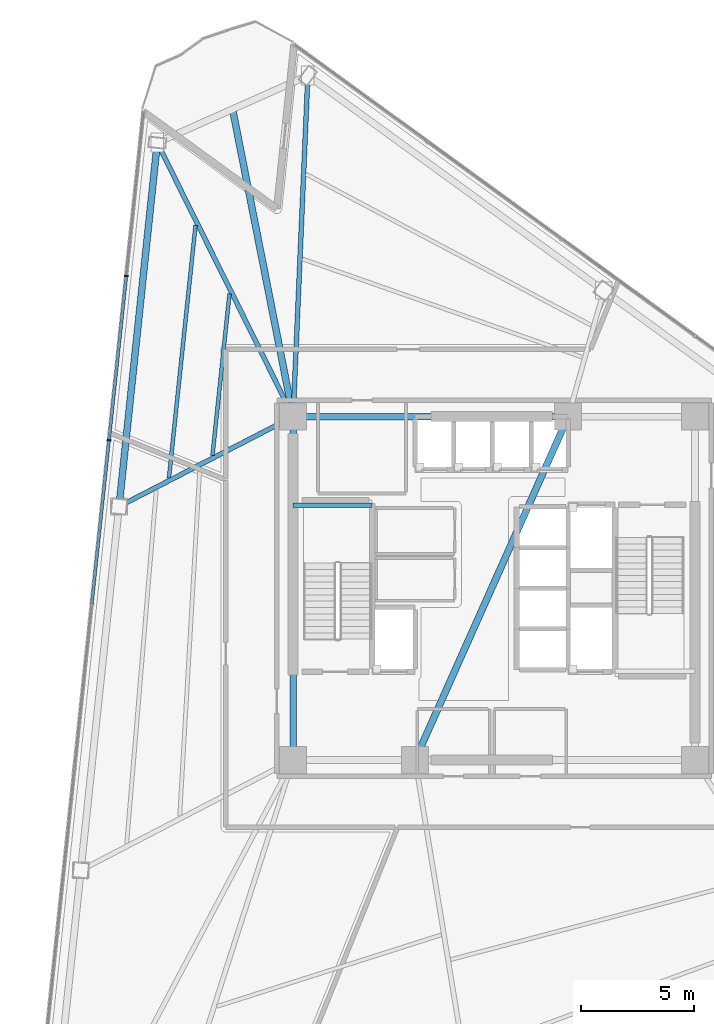
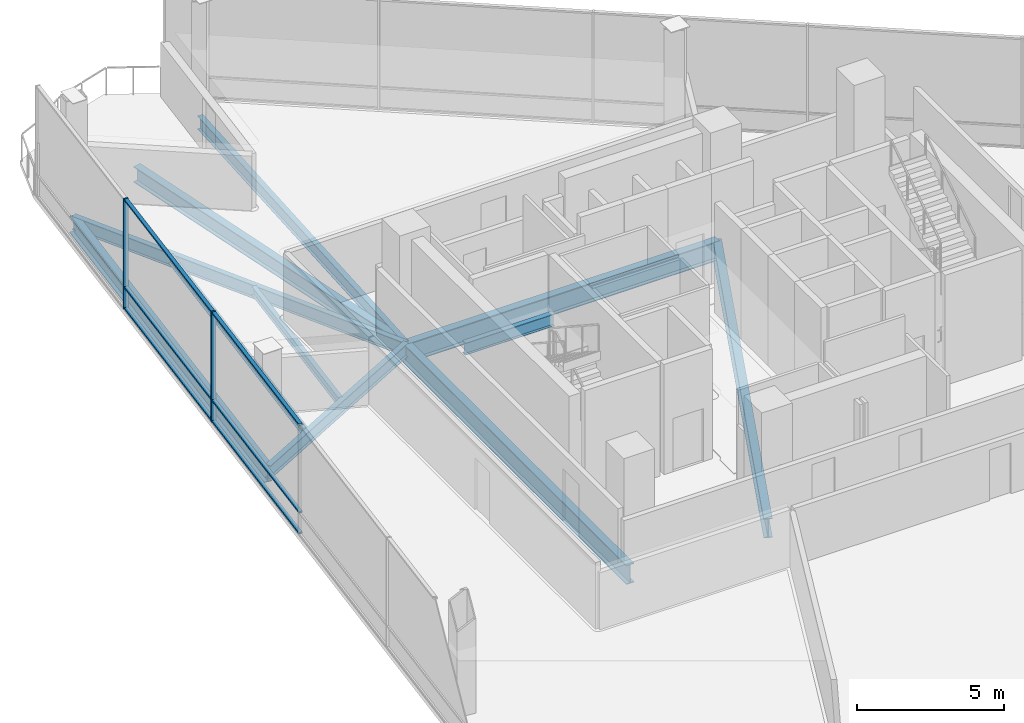
# One storey, part 7 of 18: 11 beams, 8 members, 1 element without a shape of its own.
"""IFC4 building model written with IfcOpenShell, lengths in metres."""

import ifcopenshell
import ifcopenshell.guid

model = None  # the IFC model being written
_history = None  # IfcOwnerHistory: only IFC2X3 demands one
_inside = {}  # id of a spatial element -> (the spatial element, [elements in it])
_under = {}  # id of a project, library or spatial element -> (it, [spatial elements below it])
_declared = {}  # id of a project -> (the project, [libraries it declares])
_typed = {}  # id of a type object -> (the type object, [elements of that type])
_made_of = {}  # id of a material, layer set ... -> (it, [elements and type objects made of it])


def new_model(schema):
    """Start an empty IFC model of exactly this schema.

    Asked for "IFC4X3", IfcOpenShell would pick the latest addendum, in which some entities
    have other attributes; the version numbers below select the first issue.
    IFC2X3 requires an IfcOwnerHistory on every rooted entity: one is made here for all.
    """
    global model, _history
    if schema == "IFC4X3":
        model = ifcopenshell.file(schema_version=(4, 3, 0, 0))
    else:
        model = ifcopenshell.file(schema=schema)
    _inside.clear()
    _under.clear()
    _declared.clear()
    _typed.clear()
    _made_of.clear()
    _history = None
    if model.schema == "IFC2X3":
        org = make("IfcOrganization", Name="unknown")
        user = make(
            "IfcPersonAndOrganization",
            ThePerson=make("IfcPerson", FamilyName="unknown"),
            TheOrganization=org,
        )
        app = make(
            "IfcApplication",
            ApplicationDeveloper=org,
            Version="unknown",
            ApplicationFullName="unknown",
            ApplicationIdentifier="unknown",
        )
        _history = make(
            "IfcOwnerHistory",
            OwningUser=user,
            OwningApplication=app,
            ChangeAction="ADDED",
            CreationDate=0,
        )
    return model


def make(cls, **values):
    """One entity of the class cls with the attributes given. An attribute that is None is left unset."""
    return model.create_entity(
        cls, **{name: value for name, value in values.items() if value is not None}
    )


def rooted(cls, **values):
    """An entity with a GlobalId (a new one), such as an element, a storey or a relation."""
    return make(cls, GlobalId=ifcopenshell.guid.new(), OwnerHistory=_history, **values)


def si_unit(unit_type, name, prefix=None):
    """IfcSIUnit, for example si_unit("LENGTHUNIT", "METRE", prefix="MILLI")."""
    return make("IfcSIUnit", UnitType=unit_type, Prefix=prefix, Name=name)


def assignment(units):
    """IfcUnitAssignment: the units of a project."""
    return None if units is None else make("IfcUnitAssignment", Units=units)


def point(xyz):
    """IfcCartesianPoint."""
    return None if xyz is None else make("IfcCartesianPoint", Coordinates=xyz)


def direction(xyz):
    """IfcDirection."""
    return None if xyz is None else make("IfcDirection", DirectionRatios=xyz)


def frame(location, z_axis=None, x_axis=None):
    """IfcAxis2Placement3D, a coordinate frame: its origin and axes. An axis left out is left unset."""
    return make(
        "IfcAxis2Placement3D",
        Location=point(location),
        Axis=direction(z_axis),
        RefDirection=direction(x_axis),
    )


def frame_2d(location, x_axis=None):
    """IfcAxis2Placement2D, a coordinate frame in the plane: its origin and x axis."""
    return make(
        "IfcAxis2Placement2D", Location=point(location), RefDirection=direction(x_axis)
    )


def origin():
    """The frame at (0, 0, 0) with its axes left unset."""
    return frame((0.0, 0.0, 0.0))


def origin_2d():
    """The frame at (0, 0) in the plane with its x axis left unset."""
    return frame_2d((0.0, 0.0))


def place(relative_to, where):
    """IfcLocalPlacement: puts the frame where relative to a parent placement (None: the world)."""
    return make(
        "IfcLocalPlacement", PlacementRelTo=relative_to, RelativePlacement=where
    )


def context(
    kind, dimensions, precision=None, world=None, true_north=None, identifier=None
):
    """IfcGeometricRepresentationContext, for example the 3D "Model" context."""
    return make(
        "IfcGeometricRepresentationContext",
        ContextIdentifier=identifier,
        ContextType=kind,
        CoordinateSpaceDimension=dimensions,
        Precision=precision,
        WorldCoordinateSystem=world,
        TrueNorth=true_north,
    )


def subcontext(parent, identifier, kind, view, scale=None):
    """IfcGeometricRepresentationSubContext, for example "Body" below "Model"."""
    return make(
        "IfcGeometricRepresentationSubContext",
        ContextIdentifier=identifier,
        ContextType=kind,
        ParentContext=parent,
        TargetScale=scale,
        TargetView=view,
    )


def project(units=None, contexts=None):
    """IfcProject with its units and contexts."""
    return rooted(
        "IfcProject",
        Name="project",
        RepresentationContexts=contexts,
        UnitsInContext=assignment(units),
    )


def spatial(cls, under=None, at=None, **own):
    """A site, building, storey or space (cls), placed at a placement, below another one or the project."""
    s = rooted(cls, ObjectPlacement=at, **own)
    if under is not None:
        _under.setdefault(under.id(), (under, []))[1].append(s)
    return s


def profile(cls, at=None, kind="AREA", **sizes):
    """A parametric profile (cls). Its sizes go by their IFC names, for example OverallWidth=200.0."""
    return make(cls, ProfileType=kind, Position=at, **sizes)


def rectangle(**sizes):
    """IfcRectangleProfileDef."""
    return profile("IfcRectangleProfileDef", **sizes)


def i_section(**sizes):
    """IfcIShapeProfileDef."""
    return profile("IfcIShapeProfileDef", **sizes)


def extrude(swept, where, along, depth):
    """IfcExtrudedAreaSolid: the profile swept, set in the frame where, extruded along a direction by depth."""
    return make(
        "IfcExtrudedAreaSolid",
        SweptArea=swept,
        Position=where,
        ExtrudedDirection=direction(along),
        Depth=depth,
    )


def shape(context_of_items, identifier, shape_type, items):
    """IfcShapeRepresentation: the items that make up one representation, for example the "Body"."""
    return make(
        "IfcShapeRepresentation",
        ContextOfItems=context_of_items,
        RepresentationIdentifier=identifier,
        RepresentationType=shape_type,
        Items=items,
    )


def material(Name=None, Category=None):
    """IfcMaterial."""
    return make("IfcMaterial", Name=Name, Category=Category)


def layer(
    of_material, thickness, ventilated=None, Name=None, Category=None, Priority=None
):
    """IfcMaterialLayer: one layer of a wall or slab, of a material (None: an air gap)."""
    return make(
        "IfcMaterialLayer",
        Material=of_material,
        LayerThickness=thickness,
        IsVentilated=ventilated,
        Name=Name,
        Category=Category,
        Priority=Priority,
    )


def layer_set(layers, Name=None):
    """IfcMaterialLayerSet."""
    return make("IfcMaterialLayerSet", MaterialLayers=layers, LayerSetName=Name)


def material_profile(
    of_material, cross_section, Name=None, Category=None, Priority=None
):
    """IfcMaterialProfile: a cross section and its material."""
    return make(
        "IfcMaterialProfile",
        Name=Name,
        Material=of_material,
        Profile=cross_section,
        Priority=Priority,
        Category=Category,
    )


def profile_set(profiles, Name=None, composite=None):
    """IfcMaterialProfileSet."""
    return make(
        "IfcMaterialProfileSet",
        Name=Name,
        MaterialProfiles=profiles,
        CompositeProfile=composite,
    )


def made_of(thing, what):
    """Note that an element or type object is made of a material, layer set ...; save() writes the relation."""
    if what is not None:
        _made_of.setdefault(what.id(), (what, []))[1].append(thing)
    return thing


def type_object(cls, material=None, **own):
    """A type object (cls), such as IfcWallType, which elements share."""
    return made_of(rooted(cls, **own), material)


def element(
    cls,
    number,
    at=None,
    inside=None,
    cuts=None,
    type_object=None,
    material=None,
    context=None,
    identifier="Body",
    shape_type=None,
    held_by="IfcProductDefinitionShape",
    body=None,
    shapes=None,
    **own,
):
    """One element of the class cls, such as IfcWall. Its Tag is "e" and its number.

    at: its placement. inside: the storey or other place that contains it. cuts: it is an
    opening in that element (IfcRelVoidsElement). A single representation is given by context,
    identifier, shape_type and body (its items); several are given by shapes. held_by: the class
    of the entity that holds the representations. save() writes the other relations.
    """
    e = rooted(cls, Tag="e%d" % number, ObjectPlacement=at, **own)
    if body is not None:
        shapes = [shape(context, identifier, shape_type, body)]
    if shapes is not None:
        e.Representation = make(held_by, Representations=shapes)
    if inside is not None:
        _inside.setdefault(inside.id(), (inside, []))[1].append(e)
    if cuts is not None:
        rooted(
            "IfcRelVoidsElement", RelatingBuildingElement=cuts, RelatedOpeningElement=e
        )
    if type_object is not None:
        _typed.setdefault(type_object.id(), (type_object, []))[1].append(e)
    return made_of(e, material)


def aggregate(whole, parts):
    """IfcRelAggregates: a whole, such as a stair, and the parts it consists of."""
    return rooted("IfcRelAggregates", RelatingObject=whole, RelatedObjects=parts)


def save(model, path):
    """Write the relations noted so far, then the file.

    IfcRelAggregates (storeys below a building ...), IfcRelContainedInSpatialStructure (elements
    in a storey), IfcRelDefinesByType, IfcRelAssociatesMaterial and IfcRelDeclares: one each for
    every whole, place, type object, material and project.
    """
    for whole, parts in _under.values():
        aggregate(whole, parts)
    for where, things in _inside.values():
        rooted(
            "IfcRelContainedInSpatialStructure",
            RelatedElements=things,
            RelatingStructure=where,
        )
    for kind, things in _typed.values():
        rooted("IfcRelDefinesByType", RelatedObjects=things, RelatingType=kind)
    for what, things in _made_of.values():
        rooted("IfcRelAssociatesMaterial", RelatedObjects=things, RelatingMaterial=what)
    for by, libraries in _declared.values():
        rooted("IfcRelDeclares", RelatingContext=by, RelatedDefinitions=libraries)
    model.write(path)


model = new_model("IFC4")

# Units and contexts
model_context = context("Model", 3, precision=1e-05, world=origin(), true_north=direction((0.0, 1.0)))
body_context = subcontext(model_context, "Body", "Model", "MODEL_VIEW")
ifc_project = project(units=[si_unit("LENGTHUNIT", "METRE"), si_unit("AREAUNIT", "SQUARE_METRE"), si_unit("VOLUMEUNIT", "CUBIC_METRE"), si_unit("PLANEANGLEUNIT", "RADIAN"), si_unit("MASSUNIT", "GRAM", prefix="KILO")], contexts=[model_context])

# Site, building, storey
site_placement = place(None, origin())
site = spatial("IfcSite", under=ifc_project, at=site_placement, CompositionType="ELEMENT")
building_placement = place(site_placement, origin())
building = spatial("IfcBuilding", under=site, at=building_placement, Name="Tharavind Bronze Gate", CompositionType="ELEMENT")
storey_placement = place(building_placement, frame((0.0, 0.0, 134.050048828125)))
storey = spatial("IfcBuildingStorey", under=building, at=storey_placement, Name="L34", CompositionType="ELEMENT", Elevation=134.050048828125)

# Curtain wall, members
ifc_material_1 = material(Name="Anodised Bronze Aluminium", Category="aluminium")
ifc_layer = layer(ifc_material_1, 0.219970703125)
ifc_layer_set = layer_set([ifc_layer], Name="Anodised Bronze Aluminium")
curtain_wall_type = type_object("IfcCurtainWallType", Name="UNITISED CURTAIN WALL LOWER OFFICE", PredefinedType="USERDEFINED", material=ifc_layer_set)
curtain_wall_placement = place(storey_placement, origin())
curtain_wall = element("IfcCurtainWall", 1, at=curtain_wall_placement, inside=storey, type_object=curtain_wall_type, Name="L34 unitised curtain wall lower office CW-L34-S1", ObjectType="UNITISED CURTAIN WALL", PredefinedType="USERDEFINED")
member_type_1 = type_object("IfcMemberType", Name="CURTAIN WALL BRONZE MULLION 65X180", PredefinedType="MULLION", material=ifc_material_1)
member_1_placement = place(storey_placement, frame((-16.2919921875, 13.828369140625, 0.0), z_axis=(0.0, 0.0, 1.0), x_axis=(-0.104526727499, -0.994522077803, 0.0)))
member_1 = element("IfcMember", 2, at=member_1_placement, type_object=member_type_1, Name="CW-L34-S1 mullion 2", PredefinedType="MULLION", context=body_context, shape_type="SweptSolid", body=[
    extrude(rectangle(XDim=0.06494140625, YDim=0.179931640625, at=origin_2d()), origin(), (0.0, 0.0, 1.0), 4.56005859375),
])
member_2_placement = place(storey_placement, frame((-17.056396484375, 6.55517578125, 0.0), z_axis=(0.0, 0.0, 1.0), x_axis=(-0.104526727499, -0.994522077803, 0.0)))
member_2 = element("IfcMember", 3, at=member_2_placement, type_object=member_type_1, Name="CW-L34-S1 mullion 3", PredefinedType="MULLION", context=body_context, shape_type="SweptSolid", body=[
    extrude(rectangle(XDim=0.06494140625, YDim=0.179931640625, at=origin_2d()), origin(), (0.0, 0.0, 1.0), 4.56005859375),
])
member_type_2 = type_object("IfcMemberType", Name="CURTAIN WALL BRONZE TRANSOM 65X140", PredefinedType="USERDEFINED", material=ifc_material_1)
member_3_placement = place(storey_placement, frame((-16.67431640625, 10.19189453125, 0.0), z_axis=(0.0, 0.0, 1.0), x_axis=(-0.104526727499, -0.994522077803, 0.0)))
member_3 = element("IfcMember", 4, at=member_3_placement, type_object=member_type_2, Name="CW-L34-S1 transom TB2", ObjectType="TRANSOM", PredefinedType="USERDEFINED", context=body_context, shape_type="SweptSolid", body=[
    extrude(rectangle(XDim=7.26025390625, YDim=0.139892578125, at=origin_2d()), origin(), (0.0, 0.0, 1.0), 0.06494140625),
])
member_4_placement = place(storey_placement, frame((-16.67431640625, 10.19189453125, 0.867431640625), z_axis=(0.0, 0.0, 1.0), x_axis=(-0.104526727499, -0.994522077803, 0.0)))
member_4 = element("IfcMember", 5, at=member_4_placement, type_object=member_type_2, Name="CW-L34-S1 transom TS2", ObjectType="TRANSOM", PredefinedType="USERDEFINED", context=body_context, shape_type="SweptSolid", body=[
    extrude(rectangle(XDim=7.26025390625, YDim=0.139892578125, at=origin_2d()), origin(), (0.0, 0.0, 1.0), 0.06494140625),
])
member_5_placement = place(storey_placement, frame((-16.67431640625, 10.19189453125, 4.494873046875), z_axis=(0.0, 0.0, 1.0), x_axis=(-0.104526727499, -0.994522077803, 0.0)))
member_5 = element("IfcMember", 6, at=member_5_placement, type_object=member_type_2, Name="CW-L34-S1 transom TT2", ObjectType="TRANSOM", PredefinedType="USERDEFINED", context=body_context, shape_type="SweptSolid", body=[
    extrude(rectangle(XDim=7.26025390625, YDim=0.139892578125, at=origin_2d()), origin(), (0.0, 0.0, 1.0), 0.06494140625),
])
member_6_placement = place(storey_placement, frame((-17.438720703125, 2.91845703125, 0.0), z_axis=(0.0, 0.0, 1.0), x_axis=(-0.104526727499, -0.994522077803, 0.0)))
member_6 = element("IfcMember", 7, at=member_6_placement, type_object=member_type_2, Name="CW-L34-S1 transom TB3", ObjectType="TRANSOM", PredefinedType="USERDEFINED", context=body_context, shape_type="SweptSolid", body=[
    extrude(rectangle(XDim=7.26025390625, YDim=0.139892578125, at=origin_2d()), origin(), (0.0, 0.0, 1.0), 0.06494140625),
])
member_7_placement = place(storey_placement, frame((-17.438720703125, 2.91845703125, 0.867431640625), z_axis=(0.0, 0.0, 1.0), x_axis=(-0.104526727499, -0.994522077803, 0.0)))
member_7 = element("IfcMember", 8, at=member_7_placement, type_object=member_type_2, Name="CW-L34-S1 transom TS3", ObjectType="TRANSOM", PredefinedType="USERDEFINED", context=body_context, shape_type="SweptSolid", body=[
    extrude(rectangle(XDim=7.26025390625, YDim=0.139892578125, at=origin_2d()), origin(), (0.0, 0.0, 1.0), 0.06494140625),
])
member_8_placement = place(storey_placement, frame((-17.438720703125, 2.91845703125, 4.494873046875), z_axis=(0.0, 0.0, 1.0), x_axis=(-0.104526727499, -0.994522077803, 0.0)))
member_8 = element("IfcMember", 9, at=member_8_placement, type_object=member_type_2, Name="CW-L34-S1 transom TT3", ObjectType="TRANSOM", PredefinedType="USERDEFINED", context=body_context, shape_type="SweptSolid", body=[
    extrude(rectangle(XDim=7.26025390625, YDim=0.139892578125, at=origin_2d()), origin(), (0.0, 0.0, 1.0), 0.06494140625),
])
aggregate(curtain_wall, [member_1, member_2, member_3, member_4, member_5, member_6, member_7, member_8])

# Beams
ifc_material_2 = material(Name="Steel S355", Category="steel")
ifc_material_profile_1 = material_profile(ifc_material_2, i_section(OverallWidth=0.300048828125, OverallDepth=0.64990234375, WebThickness=0.01611328125, FlangeThickness=0.031005859375, at=origin_2d()), Name="HE650B")
ifc_profile_set_1 = profile_set([ifc_material_profile_1], Name="Steel S355")
beam_type_1 = type_object("IfcBeamType", Name="PRIMARY GIRDER HE650B", PredefinedType="USERDEFINED", material=ifc_profile_set_1)
beam_1_placement = place(storey_placement, frame((-8.89990234375, 7.60009765625, -0.51513671875), z_axis=(-0.193337817279, 0.981132248176, 0.0), x_axis=(-0.981132248176, -0.193337817279, 0.0)))
element("IfcBeam", 10, at=beam_1_placement, inside=storey, type_object=beam_type_1, Name="L34 primary girder he650b BM-L34-BLCSB", ObjectType="GIRDER", PredefinedType="USERDEFINED", context=body_context, shape_type="SweptSolid", body=[
    extrude(i_section(OverallWidth=0.300048828125, OverallDepth=0.64990234375, WebThickness=0.01611328125, FlangeThickness=0.031005859375, at=origin_2d()), origin(), (0.0, 0.0, 1.0), 13.8779296875),
])
ifc_material_profile_2 = material_profile(ifc_material_2, i_section(OverallWidth=0.199951171875, OverallDepth=0.5, WebThickness=0.01025390625, FlangeThickness=0.01611328125, at=origin_2d()), Name="IPE500")
ifc_profile_set_2 = profile_set([ifc_material_profile_2], Name="Steel S355")
beam_type_2 = type_object("IfcBeamType", Name="PRIMARY GIRDER IPE500", PredefinedType="USERDEFINED", material=ifc_profile_set_2)
beam_2_placement = place(storey_placement, frame((-8.89990234375, 3.679931640625, 1.925048828125), z_axis=(1.0, 0.0, 0.0), x_axis=(0.0, 1.0, 0.0)))
element("IfcBeam", 11, at=beam_2_placement, inside=storey, type_object=beam_type_2, Name="L34 primary girder ipe500 BM-LD-ST1-L34-1", ObjectType="GIRDER", PredefinedType="USERDEFINED", context=body_context, shape_type="SweptSolid", body=[
    extrude(i_section(OverallWidth=0.199951171875, OverallDepth=0.5, WebThickness=0.01025390625, FlangeThickness=0.01611328125, at=origin_2d()), origin(), (0.0, 0.0, 1.0), 3.5),
])
ifc_material_profile_3 = material_profile(ifc_material_2, i_section(OverallWidth=0.2099609375, OverallDepth=0.550048828125, WebThickness=0.010986328125, FlangeThickness=0.01708984375, at=origin_2d()), Name="IPE550")
ifc_profile_set_3 = profile_set([ifc_material_profile_3], Name="Steel S355")
beam_type_3 = type_object("IfcBeamType", Name="PRIMARY GIRDER IPE550", PredefinedType="USERDEFINED", material=ifc_profile_set_3)
beam_3_placement = place(storey_placement, frame((-14.91748046875, 19.7314453125, -0.465087890625), z_axis=(0.444370024662, -0.895843335177, 0.0), x_axis=(0.895843335177, 0.444370024662, 0.0)))
element("IfcBeam", 12, at=beam_3_placement, inside=storey, type_object=beam_type_3, Name="L34 primary girder ipe550 BM-L34-RAD01", ObjectType="GIRDER", PredefinedType="USERDEFINED", context=body_context, shape_type="SweptSolid", body=[
    extrude(i_section(OverallWidth=0.2099609375, OverallDepth=0.550048828125, WebThickness=0.010986328125, FlangeThickness=0.01708984375, at=origin_2d()), origin(), (0.0, 0.0, 1.0), 13.541748046875),
])
beam_4_placement = place(storey_placement, frame((-16.610595703125, 3.62158203125, -0.465087890625), z_axis=(0.888676879782, 0.45853397185, 0.0), x_axis=(-0.45853397185, 0.888676879782, 0.0)))
element("IfcBeam", 13, at=beam_4_placement, inside=storey, type_object=beam_type_3, Name="L34 primary girder ipe550 BM-L34-RAD02", ObjectType="GIRDER", PredefinedType="USERDEFINED", context=body_context, shape_type="SweptSolid", body=[
    extrude(i_section(OverallWidth=0.2099609375, OverallDepth=0.550048828125, WebThickness=0.010986328125, FlangeThickness=0.01708984375, at=origin_2d()), origin(), (0.0, 0.0, 1.0), 8.676513671875),
])
beam_5_placement = place(storey_placement, frame((-8.24853515625, 22.70068359375, -0.465087890625), z_axis=(-0.043095152207, -0.999070972382, 0.0), x_axis=(0.999070972382, -0.043095152207, 0.0)))
element("IfcBeam", 14, at=beam_5_placement, inside=storey, type_object=beam_type_3, Name="L34 primary girder ipe550 BM-L34-RAD12", ObjectType="GIRDER", PredefinedType="USERDEFINED", context=body_context, shape_type="SweptSolid", body=[
    extrude(i_section(OverallWidth=0.2099609375, OverallDepth=0.550048828125, WebThickness=0.010986328125, FlangeThickness=0.01708984375, at=origin_2d()), origin(), (0.0, 0.0, 1.0), 15.11474609375),
])
ifc_material_profile_4 = material_profile(ifc_material_2, i_section(OverallWidth=0.300048828125, OverallDepth=0.699951171875, WebThickness=0.01708984375, FlangeThickness=0.031982421875, at=origin_2d()), Name="HE700B")
ifc_profile_set_4 = profile_set([ifc_material_profile_4], Name="Steel S355")
beam_type_4 = type_object("IfcBeamType", Name="RING GIRDER HE700B", PredefinedType="USERDEFINED", material=ifc_profile_set_4)
beam_6_placement = place(storey_placement, frame((-14.91748046875, 19.7314453125, -0.5400390625), z_axis=(-0.104522380175, -0.994522534708, 0.0), x_axis=(0.994522534708, -0.104522380175, 0.0)))
element("IfcBeam", 15, at=beam_6_placement, inside=storey, type_object=beam_type_4, Name="L34 ring girder he700b BM-L34-PRG01", ObjectType="GIRDER", PredefinedType="USERDEFINED", context=body_context, shape_type="SweptSolid", body=[
    extrude(i_section(OverallWidth=0.300048828125, OverallDepth=0.699951171875, WebThickness=0.01708984375, FlangeThickness=0.031982421875, at=origin_2d()), origin(), (0.0, 0.0, 1.0), 16.198486328125),
])
ifc_material_profile_5 = material_profile(ifc_material_2, i_section(OverallWidth=0.300048828125, OverallDepth=0.800048828125, WebThickness=0.017578125, FlangeThickness=0.032958984375, at=origin_2d()), Name="HE800B")
ifc_profile_set_5 = profile_set([ifc_material_profile_5], Name="Steel S355")
beam_type_5 = type_object("IfcBeamType", Name="RING GIRDER HE800B", PredefinedType="USERDEFINED", material=ifc_profile_set_5)
beam_7_placement = place(storey_placement, frame((3.280029296875, 7.60009765625, -0.590087890625), z_axis=(-1.0, 0.0, 0.0), x_axis=(0.0, -1.0, 0.0)))
element("IfcBeam", 16, at=beam_7_placement, inside=storey, type_object=beam_type_5, Name="L34 ring girder he800b BM-L34-CR5", ObjectType="GIRDER", PredefinedType="USERDEFINED", context=body_context, shape_type="SweptSolid", body=[
    extrude(i_section(OverallWidth=0.300048828125, OverallDepth=0.800048828125, WebThickness=0.017578125, FlangeThickness=0.032958984375, at=origin_2d()), origin(), (0.0, 0.0, 1.0), 12.179931640625),
])
beam_8_placement = place(storey_placement, frame((-8.89990234375, 7.60009765625, -0.590087890625), z_axis=(0.0, -1.0, 0.0), x_axis=(1.0, 0.0, 0.0)))
element("IfcBeam", 17, at=beam_8_placement, inside=storey, type_object=beam_type_5, Name="L34 ring girder he800b BM-L34-CR6", ObjectType="GIRDER", PredefinedType="USERDEFINED", context=body_context, shape_type="SweptSolid", body=[
    extrude(i_section(OverallWidth=0.300048828125, OverallDepth=0.800048828125, WebThickness=0.017578125, FlangeThickness=0.032958984375, at=origin_2d()), origin(), (0.0, 0.0, 1.0), 15.2001953125),
])
beam_9_placement = place(storey_placement, frame((-3.5, -7.60009765625, -0.590087890625), z_axis=(0.407361644566, 0.913266932795, 0.0), x_axis=(-0.913266932795, 0.407361644566, 0.0)))
element("IfcBeam", 18, at=beam_9_placement, inside=storey, type_object=beam_type_5, Name="L34 ring girder he800b BM-L34-CR7", ObjectType="GIRDER", PredefinedType="USERDEFINED", context=body_context, shape_type="SweptSolid", body=[
    extrude(i_section(OverallWidth=0.300048828125, OverallDepth=0.800048828125, WebThickness=0.017578125, FlangeThickness=0.032958984375, at=origin_2d()), origin(), (0.0, 0.0, 1.0), 16.643798828125),
])
ifc_material_profile_6 = material_profile(ifc_material_2, i_section(OverallWidth=0.169921875, OverallDepth=0.360107421875, WebThickness=0.008056640625, FlangeThickness=0.0126953125, at=origin_2d()), Name="IPE360")
ifc_profile_set_6 = profile_set([ifc_material_profile_6], Name="Steel S355")
beam_type_6 = type_object("IfcBeamType", Name="SECONDARY FLOOR JOIST IPE360", PredefinedType="JOIST", material=ifc_profile_set_6)
beam_10_placement = place(storey_placement, frame((-11.718994140625, 13.0419921875, -0.3701171875), z_axis=(-0.104536567764, -0.994521043518, 0.0), x_axis=(0.994521043518, -0.104536567764, 0.0)))
element("IfcBeam", 19, at=beam_10_placement, inside=storey, type_object=beam_type_6, Name="L34 secondary floor joist ipe360 BM-L34-JSTA01", PredefinedType="JOIST", context=body_context, shape_type="SweptSolid", body=[
    extrude(i_section(OverallWidth=0.169921875, OverallDepth=0.360107421875, WebThickness=0.008056640625, FlangeThickness=0.0126953125, at=origin_2d()), origin(), (0.0, 0.0, 1.0), 7.20263671875),
])
beam_11_placement = place(storey_placement, frame((-13.223388671875, 16.074951171875, -0.3701171875), z_axis=(-0.104516494227, -0.994523153292, 0.0), x_axis=(0.994523153292, -0.104516494227, 0.0)))
element("IfcBeam", 20, at=beam_11_placement, inside=storey, type_object=beam_type_6, Name="L34 secondary floor joist ipe360 BM-L34-JSTB01", PredefinedType="JOIST", context=body_context, shape_type="SweptSolid", body=[
    extrude(i_section(OverallWidth=0.169921875, OverallDepth=0.360107421875, WebThickness=0.008056640625, FlangeThickness=0.0126953125, at=origin_2d()), origin(), (0.0, 0.0, 1.0), 11.251953125),
])

save(model, "model.ifc")
